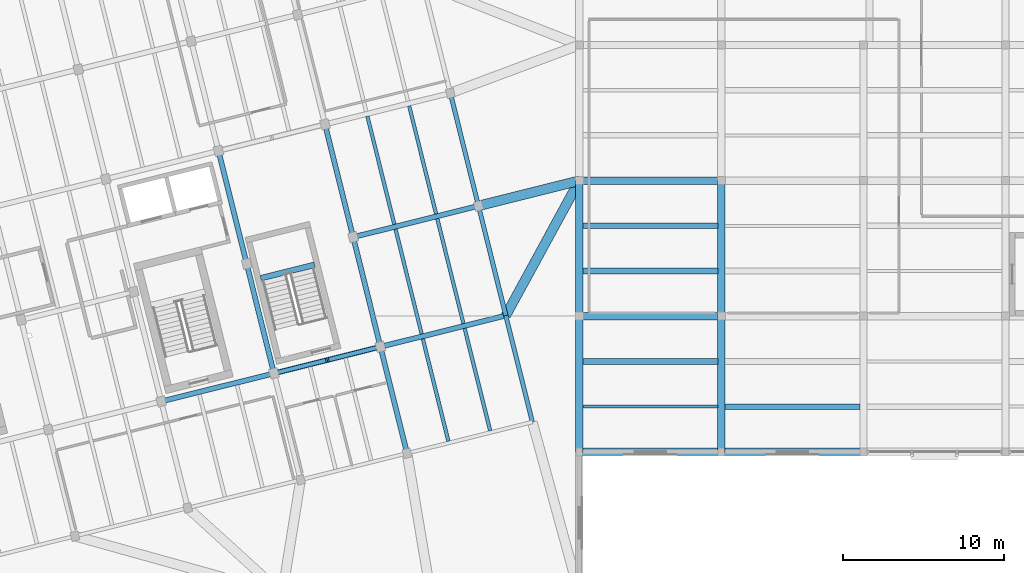
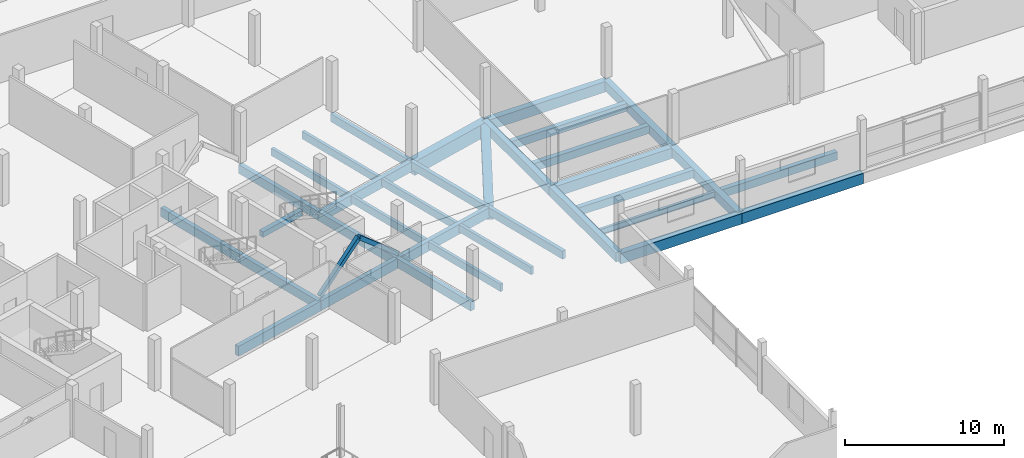
# One storey, part 25 of 62: 34 beams, 2 members.
"""IFC4 building model written with IfcOpenShell, lengths in metres."""

from ifc_helpers import new_model, si_unit, direction, frame, origin, origin_2d, place, context, subcontext, project, spatial, rectangle, i_section, extrude, material, material_profile, profile_set, type_object, element, save


model = new_model("IFC4")

# Units and contexts
model_context = context("Model", 3, precision=1e-05, world=origin(), true_north=direction((0.0, 1.0)))
body_context = subcontext(model_context, "Body", "Model", "MODEL_VIEW")
ifc_project = project(units=[si_unit("LENGTHUNIT", "METRE"), si_unit("AREAUNIT", "SQUARE_METRE"), si_unit("VOLUMEUNIT", "CUBIC_METRE"), si_unit("PLANEANGLEUNIT", "RADIAN"), si_unit("MASSUNIT", "GRAM", prefix="KILO")], contexts=[model_context])

# Site, building, storey
site_placement = place(None, origin())
site = spatial("IfcSite", under=ifc_project, at=site_placement, CompositionType="ELEMENT")
building_placement = place(site_placement, origin())
building = spatial("IfcBuilding", under=site, at=building_placement, Name="Meriwether Solvik Hall", CompositionType="ELEMENT")
storey_placement = place(building_placement, frame((0.0, 0.0, 14.39990234375)))
storey = spatial("IfcBuildingStorey", under=building, at=storey_placement, Name="L03", CompositionType="ELEMENT", Elevation=14.39990234375)

# Beams
ifc_material_1 = material(Name="Glulam Douglas-Fir 24F-V8 GL28h", Category="wood")
ifc_material_profile_1 = material_profile(ifc_material_1, rectangle(XDim=0.27294921875, YDim=0.610107421875, at=origin_2d()), Name="GLB-273X610")
ifc_profile_set_1 = profile_set([ifc_material_profile_1], Name="Glulam Douglas-Fir 24F-V8 GL28h")
beam_type_1 = type_object("IfcBeamType", Name="BM-GL-273X610", PredefinedType="SPANDREL", material=ifc_profile_set_1)
beam_1_placement = place(storey_placement, frame((111.29296875, 51.844482421875, -0.5498046875), z_axis=(-0.24191045034, 0.970298579828, 0.0), x_axis=(-0.970298579828, -0.24191045034, 0.0)))
element("IfcBeam", 1, at=beam_1_placement, inside=storey, type_object=beam_type_1, Name="Tower Girder T7:TA-TB (L03)", PredefinedType="SPANDREL", context=body_context, shape_type="SweptSolid", body=[
    extrude(rectangle(XDim=0.27294921875, YDim=0.610107421875, at=origin_2d()), origin(), (0.0, 0.0, 1.0), 6.800048828125),
])
beam_2_placement = place(storey_placement, frame((109.64794921875, 58.442626953125, -0.5498046875), z_axis=(-0.241911879182, 0.970298223594, 0.0), x_axis=(-0.970298223594, -0.241911879182, 0.0)))
element("IfcBeam", 2, at=beam_2_placement, inside=storey, type_object=beam_type_1, Name="Tower Girder T7:TB-TC (L03)", PredefinedType="SPANDREL", context=body_context, shape_type="SweptSolid", body=[
    extrude(rectangle(XDim=0.27294921875, YDim=0.610107421875, at=origin_2d()), origin(), (0.0, 0.0, 1.0), 7.0),
])
beam_3_placement = place(storey_placement, frame((107.95458984375, 65.234619140625, -0.5498046875), z_axis=(-0.241937193493, 0.970291911955, 0.0), x_axis=(-0.970291911955, -0.241937193493, 0.0)))
element("IfcBeam", 3, at=beam_3_placement, inside=storey, type_object=beam_type_1, Name="Tower Girder T7:TC-TD (L03)", PredefinedType="SPANDREL", context=body_context, shape_type="SweptSolid", body=[
    extrude(rectangle(XDim=0.27294921875, YDim=0.610107421875, at=origin_2d()), origin(), (0.0, 0.0, 1.0), 7.199951171875),
])
ifc_material_2 = material(Name="Glulam Douglas-Fir 24F-V8 GL28h", Category="wood")
ifc_material_profile_2 = material_profile(ifc_material_2, rectangle(XDim=0.31494140625, YDim=0.68505859375, at=origin_2d()), Name="GLB-315X685")
ifc_profile_set_2 = profile_set([ifc_material_profile_2], Name="Glulam Douglas-Fir 24F-V8 GL28h")
beam_type_2 = type_object("IfcBeamType", Name="BM-GL-315X685", PredefinedType="BEAM", material=ifc_profile_set_2)
beam_4_placement = place(storey_placement, frame((95.28759765625, 54.862060546875, -0.58740234375), z_axis=(-0.241936527961, 0.970292077901, 0.0), x_axis=(-0.970292077901, -0.241936527961, 0.0)))
element("IfcBeam", 4, at=beam_4_placement, inside=storey, type_object=beam_type_2, Name="Tower Girder T5:TB-TC (L03)", PredefinedType="BEAM", context=body_context, shape_type="SweptSolid", body=[
    extrude(rectangle(XDim=0.31494140625, YDim=0.68505859375, at=origin_2d()), origin(), (0.0, 0.0, 1.0), 7.000244140625),
])
beam_5_placement = place(storey_placement, frame((93.593994140625, 61.654296875, -0.58740234375), z_axis=(-0.241905269381, 0.970299871507, 0.0), x_axis=(-0.970299871507, -0.241905269381, 0.0)))
element("IfcBeam", 5, at=beam_5_placement, inside=storey, type_object=beam_type_2, Name="Tower Girder T5:TC-TD (L03)", PredefinedType="BEAM", context=body_context, shape_type="SweptSolid", body=[
    extrude(rectangle(XDim=0.31494140625, YDim=0.68505859375, at=origin_2d()), origin(), (0.0, 0.0, 1.0), 7.199951171875),
])
beam_6_placement = place(storey_placement, frame((103.53076171875, 49.9091796875, -0.58740234375), z_axis=(-0.2419526798, 0.970288050394, 0.0), x_axis=(-0.970288050394, -0.2419526798, 0.0)))
element("IfcBeam", 6, at=beam_6_placement, inside=storey, type_object=beam_type_2, Name="Tower Girder T6:TA-TB (L03)", PredefinedType="BEAM", context=body_context, shape_type="SweptSolid", body=[
    extrude(rectangle(XDim=0.31494140625, YDim=0.68505859375, at=origin_2d()), origin(), (0.0, 0.0, 1.0), 6.800048828125),
])
beam_7_placement = place(storey_placement, frame((101.885498046875, 56.507080078125, -0.58740234375), z_axis=(-0.241903692719, 0.970300264582, 0.0), x_axis=(-0.970300264582, -0.241903692719, 0.0)))
element("IfcBeam", 7, at=beam_7_placement, inside=storey, type_object=beam_type_2, Name="Tower Girder T6:TB-TC (L03)", PredefinedType="BEAM", context=body_context, shape_type="SweptSolid", body=[
    extrude(rectangle(XDim=0.31494140625, YDim=0.68505859375, at=origin_2d()), origin(), (0.0, 0.0, 1.0), 7.000244140625),
])
beam_8_placement = place(storey_placement, frame((100.192138671875, 63.29931640625, -0.58740234375), z_axis=(-0.241937193493, 0.970291911955, 0.0), x_axis=(-0.970291911955, -0.241937193493, 0.0)))
element("IfcBeam", 8, at=beam_8_placement, inside=storey, type_object=beam_type_2, Name="Tower Girder T6:TC-TD (L03)", PredefinedType="BEAM", context=body_context, shape_type="SweptSolid", body=[
    extrude(rectangle(XDim=0.31494140625, YDim=0.68505859375, at=origin_2d()), origin(), (0.0, 0.0, 1.0), 7.199951171875),
])
ifc_material_3 = material(Name="Glulam Douglas-Fir 24F-V8 GL28h", Category="wood")
ifc_material_profile_3 = material_profile(ifc_material_3, rectangle(XDim=0.31494140625, YDim=0.760009765625, at=origin_2d()), Name="GLB-315X760")
ifc_profile_set_3 = profile_set([ifc_material_profile_3], Name="Glulam Douglas-Fir 24F-V8 GL28h")
beam_type_3 = type_object("IfcBeamType", Name="BM-GL-315X760", PredefinedType="BEAM", material=ifc_profile_set_3)
beam_9_placement = place(storey_placement, frame((88.301513671875, 53.120361328125, -0.625), z_axis=(0.970299871507, 0.241905269381, 0.0), x_axis=(-0.241905269381, 0.970299871507, 0.0)))
element("IfcBeam", 9, at=beam_9_placement, inside=storey, type_object=beam_type_3, Name="Tower Girder TB:T4-T5 (L03)", PredefinedType="BEAM", context=body_context, shape_type="SweptSolid", body=[
    extrude(rectangle(XDim=0.31494140625, YDim=0.760009765625, at=origin_2d()), origin(), (0.0, 0.0, 1.0), 7.199951171875),
])
beam_10_placement = place(storey_placement, frame((95.28759765625, 54.862060546875, -0.625), z_axis=(0.970296478685, 0.241918877831, 0.0), x_axis=(-0.241918877831, 0.970296478685, 0.0)))
element("IfcBeam", 10, at=beam_10_placement, inside=storey, type_object=beam_type_3, Name="Tower Girder TB:T5-T6 (L03)", PredefinedType="BEAM", context=body_context, shape_type="SweptSolid", body=[
    extrude(rectangle(XDim=0.31494140625, YDim=0.760009765625, at=origin_2d()), origin(), (0.0, 0.0, 1.0), 6.7998046875),
])
beam_11_placement = place(storey_placement, frame((101.885498046875, 56.507080078125, -0.625), z_axis=(0.970291312354, 0.241939598187, 0.0), x_axis=(-0.241939598187, 0.970291312354, 0.0)))
element("IfcBeam", 11, at=beam_11_placement, inside=storey, type_object=beam_type_3, Name="Tower Girder TB:T6-T7 (L03)", PredefinedType="BEAM", context=body_context, shape_type="SweptSolid", body=[
    extrude(rectangle(XDim=0.31494140625, YDim=0.760009765625, at=origin_2d()), origin(), (0.0, 0.0, 1.0), 8.000244140625),
])
beam_12_placement = place(storey_placement, frame((100.192138671875, 63.29931640625, -0.625), z_axis=(0.970298475929, 0.241910867076, 0.0), x_axis=(-0.241910867076, 0.970298475929, 0.0)))
element("IfcBeam", 12, at=beam_12_placement, inside=storey, type_object=beam_type_3, Name="Tower Girder TC:T6-T7 (L03)", PredefinedType="BEAM", context=body_context, shape_type="SweptSolid", body=[
    extrude(rectangle(XDim=0.31494140625, YDim=0.760009765625, at=origin_2d()), origin(), (0.0, 0.0, 1.0), 8.0),
])
ifc_material_4 = material(Name="Concrete C40/50", Category="concrete")
ifc_material_profile_4 = material_profile(ifc_material_4, rectangle(XDim=0.35009765625, YDim=0.419921875, at=origin_2d()), Name="RCB-350X420")
ifc_profile_set_4 = profile_set([ifc_material_profile_4], Name="Concrete C40/50")
beam_type_4 = type_object("IfcBeamType", Name="BM-LND-RC-350X420", PredefinedType="BEAM", material=ifc_profile_set_4)
beam_13_placement = place(storey_placement, frame((94.4677734375, 60.75390625, 1.5400390625), z_axis=(0.970309259708, 0.2418676095, 0.0), x_axis=(-0.2418676095, 0.970309259708, 0.0)))
element("IfcBeam", 13, at=beam_13_placement, inside=storey, type_object=beam_type_4, Name="Stair ST-03 Half-Landing Header Beam (L03)", PredefinedType="BEAM", context=body_context, shape_type="SweptSolid", body=[
    extrude(rectangle(XDim=0.35009765625, YDim=0.419921875, at=origin_2d()), origin(), (0.0, 0.0, 1.0), 3.43994140625),
])
ifc_material_5 = material(Name="Concrete C40/50", Category="concrete")
ifc_material_profile_5 = material_profile(ifc_material_5, rectangle(XDim=0.35009765625, YDim=0.60009765625, at=origin_2d()), Name="RCB-350X600")
ifc_profile_set_5 = profile_set([ifc_material_profile_5], Name="Concrete C40/50")
beam_type_5 = type_object("IfcBeamType", Name="BM-RC-350X600", PredefinedType="JOIST", material=ifc_profile_set_5)
for number, where, z_axis, x_axis, name in (
    (14, (114.419921875, 55.60009765625, -0.544921875), (1.0, 0.0, 0.0), (0.0, 1.0, 0.0), "Secondary Floor Joist 13/F_J2 (L03)"),
    (15, (114.419921875, 61.199951171875, -0.544921875), (1.0, 0.0, 0.0), (0.0, 1.0, 0.0), "Secondary Floor Joist 13/G_J1 (L03)"),
    (16, (114.419921875, 64.0, -0.544921875), (1.0, 0.0, 0.0), (0.0, 1.0, 0.0), "Secondary Floor Joist 13/G_J2 (L03)"),
    (17, (123.219970703125, 52.800048828125, -0.544921875), (1.0, 0.0, 0.0), (0.0, 1.0, 0.0), "Secondary Floor Joist 14/F_J1 (L03)"),
):
    element("IfcBeam", number, at=place(storey_placement, frame(where, z_axis=z_axis, x_axis=x_axis)), inside=storey, type_object=beam_type_5, Name=name, PredefinedType="JOIST", context=body_context, shape_type="SweptSolid", body=[
        extrude(rectangle(XDim=0.35009765625, YDim=0.60009765625, at=origin_2d()), origin(), (0.0, 0.0, 1.0), 8.360107421875),
    ])
ifc_material_6 = material(Name="Concrete C40/50", Category="concrete")
ifc_material_profile_6 = material_profile(ifc_material_6, rectangle(XDim=0.449951171875, YDim=0.699951171875, at=origin_2d()), Name="RCB-450X700")
ifc_profile_set_6 = profile_set([ifc_material_profile_6], Name="Concrete C40/50")
beam_type_6 = type_object("IfcBeamType", Name="BM-RC-450X700", PredefinedType="BEAM", material=ifc_profile_set_6)
beam_14_placement = place(storey_placement, frame((114.199951171875, 50.0, -0.594970703125), z_axis=(0.0, 1.0, 0.0), x_axis=(-1.0, 0.0, 0.0)))
element("IfcBeam", 18, at=beam_14_placement, inside=storey, type_object=beam_type_6, Name="Podium Girder 13:F-G (L03)", PredefinedType="BEAM", context=body_context, shape_type="SweptSolid", body=[
    extrude(rectangle(XDim=0.449951171875, YDim=0.699951171875, at=origin_2d()), origin(), (0.0, 0.0, 1.0), 8.39990234375),
])
beam_15_placement = place(storey_placement, frame((114.199951171875, 58.39990234375, -0.594970703125), z_axis=(0.0, 1.0, 0.0), x_axis=(-1.0, 0.0, 0.0)))
element("IfcBeam", 19, at=beam_15_placement, inside=storey, type_object=beam_type_6, Name="Podium Girder 13:G-H (L03)", PredefinedType="BEAM", context=body_context, shape_type="SweptSolid", body=[
    extrude(rectangle(XDim=0.449951171875, YDim=0.699951171875, at=origin_2d()), origin(), (0.0, 0.0, 1.0), 8.400146484375),
])
beam_16_placement = place(storey_placement, frame((123.0, 50.0, -0.594970703125), z_axis=(0.0, 1.0, 0.0), x_axis=(-1.0, 0.0, 0.0)))
element("IfcBeam", 20, at=beam_16_placement, inside=storey, type_object=beam_type_6, Name="Podium Girder 14:F-G (L03)", PredefinedType="BEAM", context=body_context, shape_type="SweptSolid", body=[
    extrude(rectangle(XDim=0.449951171875, YDim=0.699951171875, at=origin_2d()), origin(), (0.0, 0.0, 1.0), 8.39990234375),
])
beam_17_placement = place(storey_placement, frame((123.0, 58.39990234375, -0.594970703125), z_axis=(0.0, 1.0, 0.0), x_axis=(-1.0, 0.0, 0.0)))
element("IfcBeam", 21, at=beam_17_placement, inside=storey, type_object=beam_type_6, Name="Podium Girder 14:G-H (L03)", PredefinedType="BEAM", context=body_context, shape_type="SweptSolid", body=[
    extrude(rectangle(XDim=0.449951171875, YDim=0.699951171875, at=origin_2d()), origin(), (0.0, 0.0, 1.0), 8.400146484375),
])
ifc_material_7 = material(Name="Concrete C40/50", Category="concrete")
ifc_material_profile_7 = material_profile(ifc_material_7, rectangle(XDim=0.449951171875, YDim=0.800048828125, at=origin_2d()), Name="RCB-450X800")
ifc_profile_set_7 = profile_set([ifc_material_profile_7], Name="Concrete C40/50")
beam_type_7 = type_object("IfcBeamType", Name="BM-RC-450X800", PredefinedType="BEAM", material=ifc_profile_set_7)
for number, where, z_axis, x_axis, name in (
    (22, (114.199951171875, 50.0, -0.64501953125), (1.0, 0.0, 0.0), (0.0, 1.0, 0.0), "Podium Girder F:13-14 (L03)"),
    (23, (123.0, 50.0, -0.64501953125), (1.0, 0.0, 0.0), (0.0, 1.0, 0.0), "Podium Girder F:14-15 (L03)"),
    (24, (114.199951171875, 58.39990234375, -0.64501953125), (1.0, 0.0, 0.0), (0.0, 1.0, 0.0), "Podium Girder G:13-14 (L03)"),
    (25, (114.199951171875, 66.800048828125, -0.64501953125), (1.0, 0.0, 0.0), (0.0, 1.0, 0.0), "Podium Girder H:13-14 (L03)"),
):
    element("IfcBeam", number, at=place(storey_placement, frame(where, z_axis=z_axis, x_axis=x_axis)), inside=storey, type_object=beam_type_7, Name=name, PredefinedType="BEAM", context=body_context, shape_type="SweptSolid", body=[
        extrude(rectangle(XDim=0.449951171875, YDim=0.800048828125, at=origin_2d()), origin(), (0.0, 0.0, 1.0), 8.800048828125),
    ])
ifc_material_8 = material(Name="Concrete C40/50", Category="concrete")
ifc_material_profile_8 = material_profile(ifc_material_8, rectangle(XDim=0.60009765625, YDim=1.050048828125, at=origin_2d()), Name="RCB-600X1050")
ifc_profile_set_8 = profile_set([ifc_material_profile_8], Name="Concrete C40/50")
beam_type_8 = type_object("IfcBeamType", Name="BM-RC-600X1050", PredefinedType="BEAM", material=ifc_profile_set_8)
beam_18_placement = place(storey_placement, frame((109.64794921875, 58.442626953125, -0.77001953125), z_axis=(0.478318210879, 0.878186591301, 0.0), x_axis=(-0.878186591301, 0.478318210879, 0.0)))
element("IfcBeam", 26, at=beam_18_placement, inside=storey, type_object=beam_type_8, Name="Diaphragm Collector Girder T7/TB-13/H (L03)", PredefinedType="BEAM", context=body_context, shape_type="SweptSolid", body=[
    extrude(rectangle(XDim=0.60009765625, YDim=1.050048828125, at=origin_2d()), origin(), (0.0, 0.0, 1.0), 9.5166015625),
])
beam_19_placement = place(storey_placement, frame((107.95458984375, 65.234619140625, -0.77001953125), z_axis=(0.969992872522, 0.243133352825, 0.0), x_axis=(-0.243133352825, 0.969992872522, 0.0)))
element("IfcBeam", 27, at=beam_19_placement, inside=storey, type_object=beam_type_8, Name="Diaphragm Collector Girder T7/TC-13/H (L03)", PredefinedType="BEAM", context=body_context, shape_type="SweptSolid", body=[
    extrude(rectangle(XDim=0.60009765625, YDim=1.050048828125, at=origin_2d()), origin(), (0.0, 0.0, 1.0), 6.4384765625),
])
ifc_material_9 = material(Name="Steel A992 Grade 50", Category="steel")
ifc_material_profile_9 = material_profile(ifc_material_9, i_section(OverallWidth=0.19091796875, OverallDepth=0.45703125, WebThickness=0.009033203125, FlangeThickness=0.014404296875, at=origin_2d()), Name="W18X50")
ifc_profile_set_9 = profile_set([ifc_material_profile_9], Name="Steel A992 Grade 50")
beam_type_9 = type_object("IfcBeamType", Name="BM-STL-W18X50", PredefinedType="JOIST", material=ifc_profile_set_9)
beam_20_placement = place(storey_placement, frame((114.419921875, 52.800048828125, -0.473388671875), z_axis=(1.0, 0.0, 0.0), x_axis=(0.0, 1.0, 0.0)))
element("IfcBeam", 28, at=beam_20_placement, inside=storey, type_object=beam_type_9, Name="Secondary Floor Joist 13/F_J1 (L03)", PredefinedType="JOIST", context=body_context, shape_type="SweptSolid", body=[
    extrude(i_section(OverallWidth=0.19091796875, OverallDepth=0.45703125, WebThickness=0.009033203125, FlangeThickness=0.014404296875, at=origin_2d()), origin(), (0.0, 0.0, 1.0), 8.360107421875),
])
ifc_material_10 = material(Name="Glulam Douglas-Fir 24F-V8 GL28h", Category="wood")
ifc_material_profile_10 = material_profile(ifc_material_10, rectangle(XDim=0.221923828125, YDim=0.570068359375, at=origin_2d()), Name="GLJ-222X570")
ifc_profile_set_10 = profile_set([ifc_material_profile_10], Name="Glulam Douglas-Fir 24F-V8 GL28h")
beam_type_10 = type_object("IfcBeamType", Name="JST-GL-222X570", PredefinedType="JOIST", material=ifc_profile_set_10)
for number, where, z_axis, x_axis, name in (
    (29, (106.092529296875, 50.6572265625, -0.52978515625), (-0.241920861923, 0.970295984, 0.0), (-0.970295984, -0.241920861923, 0.0), "Glulam Floor Joist T6/TA-J1 (L03)"),
    (30, (108.679931640625, 51.30224609375, -0.52978515625), (-0.241920861923, 0.970295984, 0.0), (-0.970295984, -0.241920861923, 0.0), "Glulam Floor Joist T6/TA-J2 (L03)"),
):
    element("IfcBeam", number, at=place(storey_placement, frame(where, z_axis=z_axis, x_axis=x_axis)), inside=storey, type_object=beam_type_10, Name=name, PredefinedType="JOIST", context=body_context, shape_type="SweptSolid", body=[
        extrude(rectangle(XDim=0.221923828125, YDim=0.570068359375, at=origin_2d()), origin(), (0.0, 0.0, 1.0), 6.54150390625),
    ])
beam_21_placement = place(storey_placement, frame((104.436279296875, 57.30029296875, -0.52978515625), z_axis=(-0.241952124656, 0.970288188825, 0.0), x_axis=(-0.970288188825, -0.241952124656, 0.0)))
element("IfcBeam", 31, at=beam_21_placement, inside=storey, type_object=beam_type_10, Name="Glulam Floor Joist T6/TB-J1 (L03)", PredefinedType="JOIST", context=body_context, shape_type="SweptSolid", body=[
    extrude(rectangle(XDim=0.221923828125, YDim=0.570068359375, at=origin_2d()), origin(), (0.0, 0.0, 1.0), 6.695068359375),
])
beam_22_placement = place(storey_placement, frame((107.023681640625, 57.9453125, -0.52978515625), z_axis=(-0.241943564064, 0.970290323464, 0.0), x_axis=(-0.970290323464, -0.241943564064, 0.0)))
element("IfcBeam", 32, at=beam_22_placement, inside=storey, type_object=beam_type_10, Name="Glulam Floor Joist T6/TB-J2 (L03)", PredefinedType="JOIST", context=body_context, shape_type="SweptSolid", body=[
    extrude(rectangle(XDim=0.221923828125, YDim=0.570068359375, at=origin_2d()), origin(), (0.0, 0.0, 1.0), 6.6953125),
])
for number, where, z_axis, x_axis, name in (
    (33, (102.74267578125, 64.09228515625, -0.52978515625), (-0.241910719241, 0.970298512787, 0.0), (-0.970298512787, -0.241910719241, 0.0), "Glulam Floor Joist T6/TC-J1 (L03)"),
    (34, (105.330078125, 64.737548828125, -0.52978515625), (-0.241910719241, 0.970298512787, 0.0), (-0.970298512787, -0.241910719241, 0.0), "Glulam Floor Joist T6/TC-J2 (L03)"),
):
    element("IfcBeam", number, at=place(storey_placement, frame(where, z_axis=z_axis, x_axis=x_axis)), inside=storey, type_object=beam_type_10, Name=name, PredefinedType="JOIST", context=body_context, shape_type="SweptSolid", body=[
        extrude(rectangle(XDim=0.221923828125, YDim=0.570068359375, at=origin_2d()), origin(), (0.0, 0.0, 1.0), 6.89501953125),
    ])

# Members
ifc_material_11 = material(Name="Glulam Douglas-Fir 24F-V8 GL28h", Category="wood")
ifc_material_profile_11 = material_profile(ifc_material_11, rectangle(XDim=0.27294921875, YDim=0.304931640625, at=origin_2d()), Name="GLM-273X305")
ifc_profile_set_11 = profile_set([ifc_material_profile_11], Name="Glulam Douglas-Fir 24F-V8 GL28h")
member_type = type_object("IfcMemberType", Name="MEM-BR-GL273", PredefinedType="BRACE", material=ifc_profile_set_11)
member_1_placement = place(storey_placement, frame((95.28759765625, 54.862060546875, 0.050048828125), z_axis=(0.739849577437, 0.184455948078, 0.646991967481), x_axis=(-0.24191045034, 0.970298579828, 0.0)))
element("IfcMember", 35, at=member_1_placement, inside=storey, type_object=member_type, Name="Tower Chevron Brace L03-B3A", PredefinedType="BRACE", context=body_context, shape_type="SweptSolid", body=[
    extrude(rectangle(XDim=0.27294921875, YDim=0.304931640625, at=origin_2d()), origin(), (0.0, 0.0, 1.0), 4.459228515625),
])
member_2_placement = place(storey_placement, frame((101.885498046875, 56.507080078125, 0.050048828125), z_axis=(-0.739824794414, -0.184463420099, 0.647018176109), x_axis=(0.241927305891, -0.970294377323, 0.0)))
element("IfcMember", 36, at=member_2_placement, inside=storey, type_object=member_type, Name="Tower Chevron Brace L03-B3B", PredefinedType="BRACE", context=body_context, shape_type="SweptSolid", body=[
    extrude(rectangle(XDim=0.27294921875, YDim=0.304931640625, at=origin_2d()), origin(), (0.0, 0.0, 1.0), 4.458984375),
])

save(model, "model.ifc")
